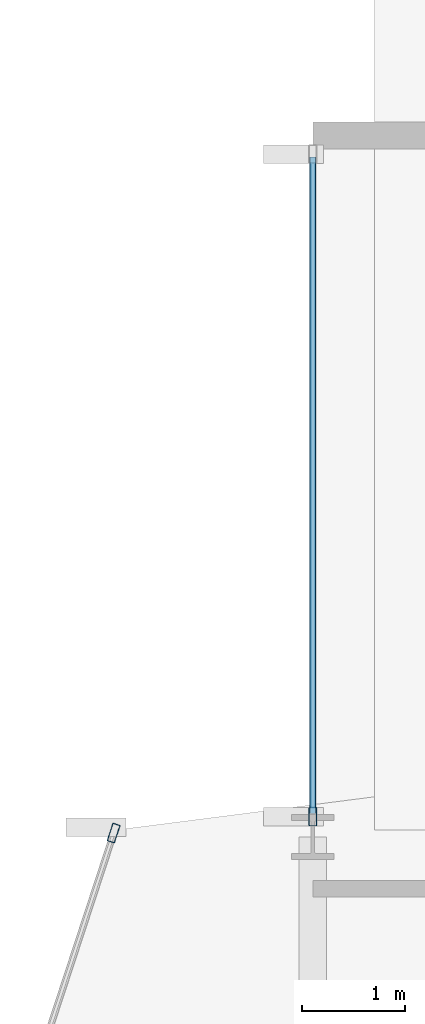
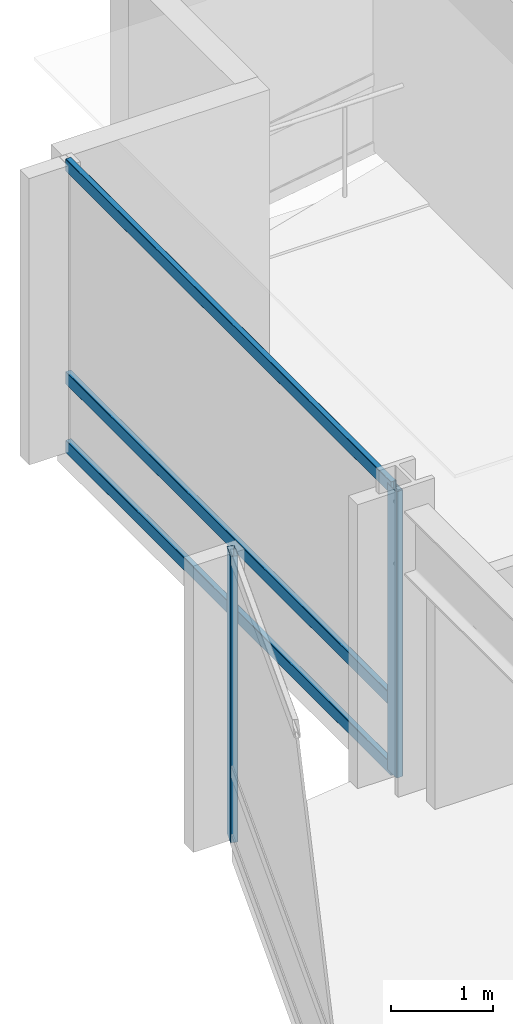
# One storey, part 16 of 28: 5 members, 2 elements without a shape of their own.
"""IFC4 building model written with IfcOpenShell, lengths in metres."""

from ifc_helpers import new_model, si_unit, direction, frame, origin, origin_2d, place, context, subcontext, project, spatial, hollow_rectangle, extrude, material, layer, layer_set, material_profile, profile_set, type_object, element, aggregate, save


model = new_model("IFC4")

# Units and contexts
model_context = context("Model", 3, precision=1e-05, world=origin(), true_north=direction((0.0, 1.0)))
body_context = subcontext(model_context, "Body", "Model", "MODEL_VIEW")
ifc_project = project(units=[si_unit("LENGTHUNIT", "METRE"), si_unit("AREAUNIT", "SQUARE_METRE"), si_unit("VOLUMEUNIT", "CUBIC_METRE"), si_unit("PLANEANGLEUNIT", "RADIAN"), si_unit("MASSUNIT", "GRAM", prefix="KILO")], contexts=[model_context])

# Site, building, storey
site_placement = place(None, origin())
site = spatial("IfcSite", under=ifc_project, at=site_placement, CompositionType="ELEMENT")
building_placement = place(site_placement, origin())
building = spatial("IfcBuilding", under=site, at=building_placement, Name="Solvaryn Broadcast Tower", CompositionType="ELEMENT")
storey_placement = place(building_placement, frame((0.0, 0.0, 158.10009765625)))
storey = spatial("IfcBuildingStorey", under=building, at=storey_placement, Name="L39", CompositionType="ELEMENT", Elevation=158.10009765625)

# Curtain wall, member
ifc_material_1 = material(Name="Aluminium and Terracotta Unitised Curtain Wall", Category="masonry")
ifc_layer = layer(ifc_material_1, 0.199951171875)
ifc_layer_set = layer_set([ifc_layer], Name="CW-SYS2-LOWMID")
curtain_wall_type = type_object("IfcCurtainWallType", Name="CW-SYS2-LOWMID", PredefinedType="NOTDEFINED", material=ifc_layer_set)
curtain_wall_1_placement = place(storey_placement, origin())
curtain_wall_1 = element("IfcCurtainWall", 1, at=curtain_wall_1_placement, inside=storey, type_object=curtain_wall_type, Name="L39 Curtain Wall DR1", PredefinedType="NOTDEFINED")
ifc_material_2 = material(Name="Anodised Aluminium 6063-T6", Category="aluminium")
ifc_material_profile_1 = material_profile(ifc_material_2, hollow_rectangle(XDim=0.074951171875, YDim=0.179931640625, WallThickness=0.00390625, InnerFilletRadius=0.00390625, OuterFilletRadius=0.008056640625, at=origin_2d()))
ifc_profile_set_1 = profile_set([ifc_material_profile_1], Name="Anodised Aluminium 6063-T6")
member_type_1 = type_object("IfcMemberType", Name="CW-MUL-180", PredefinedType="MULLION", material=ifc_profile_set_1)
member_1_placement = place(storey_placement, frame((7.069580078125, 45.03857421875, 0.0), z_axis=(0.0, 0.0, 1.0), x_axis=(0.950198260794, -0.311646057547, 0.0)))
member_1 = element("IfcMember", 2, at=member_1_placement, type_object=member_type_1, Name="CWS2 mullion 1", PredefinedType="MULLION", context=body_context, shape_type="SweptSolid", body=[
    extrude(hollow_rectangle(XDim=0.074951171875, YDim=0.179931640625, WallThickness=0.00390625, InnerFilletRadius=0.00390625, OuterFilletRadius=0.008056640625, at=origin_2d()), origin(), (0.0, 0.0, 1.0), 3.419921875),
])
aggregate(curtain_wall_1, [member_1])

# Curtain wall, members
curtain_wall_2_placement = place(storey_placement, origin())
curtain_wall_2 = element("IfcCurtainWall", 3, at=curtain_wall_2_placement, inside=storey, type_object=curtain_wall_type, Name="L39 Curtain Wall W2", PredefinedType="NOTDEFINED")
member_2_placement = place(storey_placement, frame((9.0, 45.197021484375, 0.0), z_axis=(0.0, 0.0, 1.0), x_axis=(-1.0, 0.0, 0.0)))
member_2 = element("IfcMember", 4, at=member_2_placement, type_object=member_type_1, Name="CWS2 mullion 1", PredefinedType="MULLION", context=body_context, shape_type="SweptSolid", body=[
    extrude(hollow_rectangle(XDim=0.074951171875, YDim=0.179931640625, WallThickness=0.00390625, InnerFilletRadius=0.00390625, OuterFilletRadius=0.008056640625, at=origin_2d()), origin(), (0.0, 0.0, 1.0), 3.419921875),
])
ifc_material_3 = material(Name="Anodised Aluminium 6063-T6", Category="aluminium")
ifc_material_profile_2 = material_profile(ifc_material_3, hollow_rectangle(XDim=0.06494140625, YDim=0.14990234375, WallThickness=0.00390625, InnerFilletRadius=0.00390625, OuterFilletRadius=0.008056640625, at=origin_2d()))
ifc_profile_set_2 = profile_set([ifc_material_profile_2], Name="Anodised Aluminium 6063-T6")
member_type_2 = type_object("IfcMemberType", Name="CW-TRN-150", PredefinedType="USERDEFINED", material=ifc_profile_set_2)
member_3_placement = place(storey_placement, frame((9.0, 45.22705078125, 0.02978515625), z_axis=(0.0, 1.0, 0.0), x_axis=(-1.0, 0.0, 0.0)))
member_3 = element("IfcMember", 5, at=member_3_placement, type_object=member_type_2, Name="CWS2 transom 1.1", ObjectType="TRANSOM", PredefinedType="USERDEFINED", context=body_context, shape_type="SweptSolid", body=[
    extrude(hollow_rectangle(XDim=0.06494140625, YDim=0.14990234375, WallThickness=0.00390625, InnerFilletRadius=0.00390625, OuterFilletRadius=0.008056640625, at=origin_2d()), origin(), (0.0, 0.0, 1.0), 6.363037109375),
])
member_4_placement = place(storey_placement, frame((9.0, 45.22705078125, 0.849853515625), z_axis=(0.0, 1.0, 0.0), x_axis=(-1.0, 0.0, 0.0)))
member_4 = element("IfcMember", 6, at=member_4_placement, type_object=member_type_2, Name="CWS2 transom 1.2", ObjectType="TRANSOM", PredefinedType="USERDEFINED", context=body_context, shape_type="SweptSolid", body=[
    extrude(hollow_rectangle(XDim=0.06494140625, YDim=0.14990234375, WallThickness=0.00390625, InnerFilletRadius=0.00390625, OuterFilletRadius=0.008056640625, at=origin_2d()), origin(), (0.0, 0.0, 1.0), 6.363037109375),
])
member_5_placement = place(storey_placement, frame((9.0, 45.22705078125, 3.389892578125), z_axis=(0.0, 1.0, 0.0), x_axis=(-1.0, 0.0, 0.0)))
member_5 = element("IfcMember", 7, at=member_5_placement, type_object=member_type_2, Name="CWS2 transom 1.3", ObjectType="TRANSOM", PredefinedType="USERDEFINED", context=body_context, shape_type="SweptSolid", body=[
    extrude(hollow_rectangle(XDim=0.06494140625, YDim=0.14990234375, WallThickness=0.00390625, InnerFilletRadius=0.00390625, OuterFilletRadius=0.008056640625, at=origin_2d()), origin(), (0.0, 0.0, 1.0), 6.363037109375),
])
aggregate(curtain_wall_2, [member_2, member_3, member_4, member_5])

save(model, "model.ifc")
